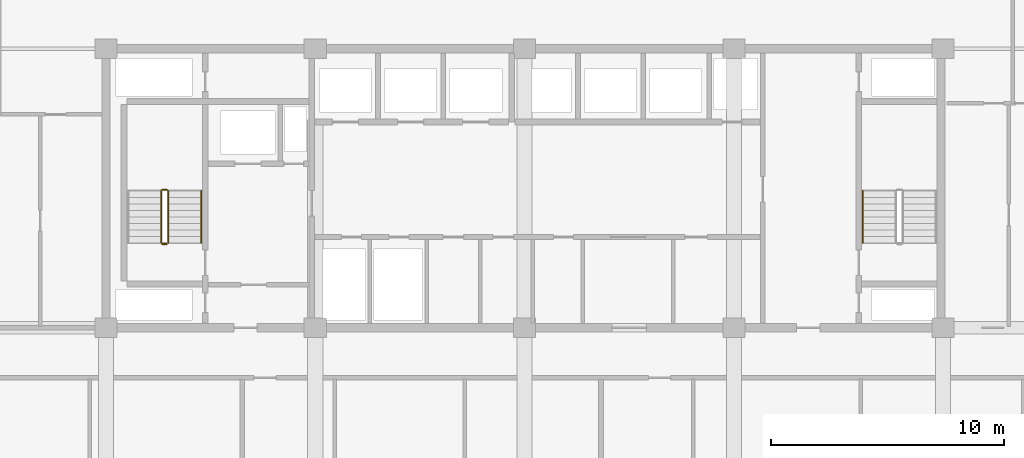
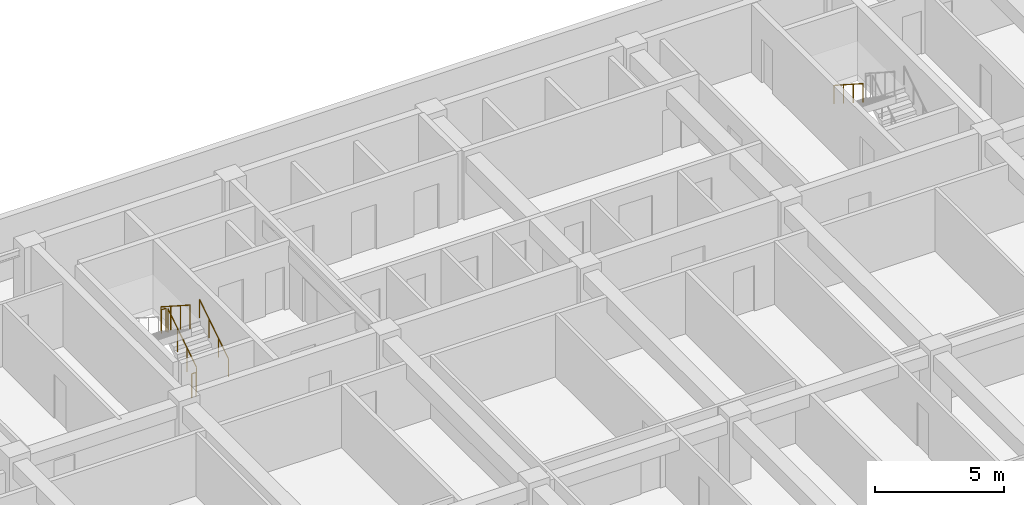
# One storey, part 20 of 23: 6 railings.
"""IFC4 building model written with IfcOpenShell, lengths in metres."""

from ifc_helpers import new_model, si_unit, direction, frame, origin, origin_2d, place, context, subcontext, project, spatial, circle, extrude, material, type_object, element, save


model = new_model("IFC4")

# Units and contexts
model_context = context("Model", 3, precision=1e-05, world=origin(), true_north=direction((0.0, 1.0)))
body_context = subcontext(model_context, "Body", "Model", "MODEL_VIEW")
ifc_project = project(units=[si_unit("LENGTHUNIT", "METRE"), si_unit("AREAUNIT", "SQUARE_METRE"), si_unit("VOLUMEUNIT", "CUBIC_METRE"), si_unit("PLANEANGLEUNIT", "RADIAN"), si_unit("MASSUNIT", "GRAM", prefix="KILO")], contexts=[model_context])

# Site, building, storey
site_placement = place(None, origin())
site = spatial("IfcSite", under=ifc_project, at=site_placement, CompositionType="ELEMENT")
building_placement = place(site_placement, origin())
building = spatial("IfcBuilding", under=site, at=building_placement, Name="Korimba Cascade Residences", CompositionType="ELEMENT")
storey_placement = place(building_placement, frame((0.0, 0.0, 46.75)))
storey = spatial("IfcBuildingStorey", under=building, at=storey_placement, Name="L12", CompositionType="ELEMENT", Elevation=46.75)

# Railings
ifc_material_1 = material(Name="Painted Steel Stairwell Guardrail", Category="steel")
railing_type_1 = type_object("IfcRailingType", Name="RLG-ST-GD1150", PredefinedType="GUARDRAIL", material=ifc_material_1)
railing_1_placement = place(storey_placement, frame((84.77001953125, 22.050048828125, 0.1806640625)))
element("IfcRailing", 1, at=railing_1_placement, inside=storey, type_object=railing_type_1, Name="L12 ST-E1 stair guard 1", PredefinedType="GUARDRAIL", context=body_context, shape_type="SweptSolid", body=[
    extrude(circle(Radius=0.02392578125, at=origin_2d()), frame((0.0, 0.0, 1.1259765625), z_axis=(0.0, 0.840436612492, 0.541909863706), x_axis=(-1.0, 0.0, 0.0)), (0.0, 0.0, 1.0), 2.665283203125),
    extrude(circle(Radius=0.02099609375, at=origin_2d()), origin(), (0.0, 0.0, 1.0), 1.101806640625),
    extrude(circle(Radius=0.02099609375, at=origin_2d()), frame((0.0, 0.74658203125, 0.4814453125)), (0.0, 0.0, 1.0), 1.101806640625),
    extrude(circle(Radius=0.02099609375, at=origin_2d()), frame((0.0, 1.493408203125, 0.962890625)), (0.0, 0.0, 1.0), 1.101806640625),
    extrude(circle(Radius=0.02099609375, at=origin_2d()), frame((0.0, 2.239990234375, 1.4443359375)), (0.0, 0.0, 1.0), 1.101806640625),
])
railing_2_placement = place(storey_placement, frame((84.719970703125, 24.340087890625, 1.625)))
element("IfcRailing", 2, at=railing_2_placement, inside=storey, type_object=railing_type_1, Name="L12 ST-E1 stair guard 2", PredefinedType="GUARDRAIL", context=body_context, shape_type="SweptSolid", body=[
    extrude(circle(Radius=0.02392578125, at=origin_2d()), frame((0.0, 0.0, 1.1259765625), z_axis=(-1.0, 0.0, 0.0), x_axis=(0.0, -1.0, 0.0)), (0.0, 0.0, 1.0), 0.199951171875),
    extrude(circle(Radius=0.02099609375, at=origin_2d()), origin(), (0.0, 0.0, 1.0), 1.101806640625),
    extrude(circle(Radius=0.02099609375, at=origin_2d()), frame((-0.199951171875, 0.0, 0.0)), (0.0, 0.0, 1.0), 1.101806640625),
])
railing_3_placement = place(storey_placement, frame((84.469970703125, 24.2900390625, 1.8056640625)))
element("IfcRailing", 3, at=railing_3_placement, inside=storey, type_object=railing_type_1, Name="L12 ST-E1 stair guard 3", PredefinedType="GUARDRAIL", context=body_context, shape_type="SweptSolid", body=[
    extrude(circle(Radius=0.02392578125, at=origin_2d()), frame((0.0, 0.0, 1.1259765625), z_axis=(0.0, -0.840436612492, 0.541909863706), x_axis=(1.0, 0.0, 0.0)), (0.0, 0.0, 1.0), 2.665283203125),
    extrude(circle(Radius=0.02099609375, at=origin_2d()), origin(), (0.0, 0.0, 1.0), 1.101806640625),
    extrude(circle(Radius=0.02099609375, at=origin_2d()), frame((0.0, -0.74658203125, 0.4814453125)), (0.0, 0.0, 1.0), 1.101806640625),
    extrude(circle(Radius=0.02099609375, at=origin_2d()), frame((0.0, -1.493408203125, 0.962890625)), (0.0, 0.0, 1.0), 1.101806640625),
    extrude(circle(Radius=0.02099609375, at=origin_2d()), frame((0.0, -2.239990234375, 1.4443359375)), (0.0, 0.0, 1.0), 1.101806640625),
])
railing_4_placement = place(storey_placement, frame((84.719970703125, 22.0, 0.0)))
element("IfcRailing", 4, at=railing_4_placement, inside=storey, type_object=railing_type_1, Name="L12 ST-E1 stair guard 4", PredefinedType="GUARDRAIL", context=body_context, shape_type="SweptSolid", body=[
    extrude(circle(Radius=0.02392578125, at=origin_2d()), frame((0.0, 0.0, 1.1259765625), z_axis=(-1.0, 0.0, 0.0), x_axis=(0.0, -1.0, 0.0)), (0.0, 0.0, 1.0), 0.199951171875),
    extrude(circle(Radius=0.02099609375, at=origin_2d()), origin(), (0.0, 0.0, 1.0), 1.101806640625),
    extrude(circle(Radius=0.02099609375, at=origin_2d()), frame((-0.199951171875, 0.0, 0.0)), (0.0, 0.0, 1.0), 1.101806640625),
])
ifc_material_2 = material(Name="Brushed Stainless Steel Handrail", Category="steel")
railing_type_2 = type_object("IfcRailingType", Name="RLG-ST-HR900", PredefinedType="HANDRAIL", material=ifc_material_2)
railing_5_placement = place(storey_placement, frame((86.18994140625, 22.050048828125, 0.364990234375)))
element("IfcRailing", 5, at=railing_5_placement, inside=storey, type_object=railing_type_2, Name="L12 ST-E1 stair handrail 1", PredefinedType="HANDRAIL", context=body_context, shape_type="SweptSolid", body=[
    extrude(circle(Radius=0.02392578125, at=origin_2d()), frame((0.0, 0.0, 0.8759765625), z_axis=(0.0, 0.840436612492, 0.541909863706), x_axis=(-1.0, 0.0, 0.0)), (0.0, 0.0, 1.0), 2.665283203125),
    extrude(circle(Radius=0.02099609375, at=origin_2d()), origin(), (0.0, 0.0, 1.0), 0.851806640625),
    extrude(circle(Radius=0.02099609375, at=origin_2d()), frame((0.0, 0.74658203125, 0.4814453125)), (0.0, 0.0, 1.0), 0.851806640625),
    extrude(circle(Radius=0.02099609375, at=origin_2d()), frame((0.0, 1.493408203125, 0.962890625)), (0.0, 0.0, 1.0), 0.851806640625),
    extrude(circle(Radius=0.02099609375, at=origin_2d()), frame((0.0, 2.239990234375, 1.4443359375)), (0.0, 0.0, 1.0), 0.851806640625),
])
railing_6_placement = place(storey_placement, frame((114.64990234375, 24.2900390625, 1.989990234375)))
element("IfcRailing", 6, at=railing_6_placement, inside=storey, type_object=railing_type_2, Name="L12 ST-E2 stair handrail 2", PredefinedType="HANDRAIL", context=body_context, shape_type="SweptSolid", body=[
    extrude(circle(Radius=0.02392578125, at=origin_2d()), frame((0.0, 0.0, 0.8759765625), z_axis=(0.0, -0.840436612492, 0.541909863706), x_axis=(1.0, 0.0, 0.0)), (0.0, 0.0, 1.0), 2.665283203125),
    extrude(circle(Radius=0.02099609375, at=origin_2d()), origin(), (0.0, 0.0, 1.0), 0.851806640625),
    extrude(circle(Radius=0.02099609375, at=origin_2d()), frame((0.0, -0.74658203125, 0.4814453125)), (0.0, 0.0, 1.0), 0.851806640625),
    extrude(circle(Radius=0.02099609375, at=origin_2d()), frame((0.0, -1.493408203125, 0.962890625)), (0.0, 0.0, 1.0), 0.851806640625),
    extrude(circle(Radius=0.02099609375, at=origin_2d()), frame((0.0, -2.239990234375, 1.4443359375)), (0.0, 0.0, 1.0), 0.851806640625),
])

save(model, "model.ifc")
